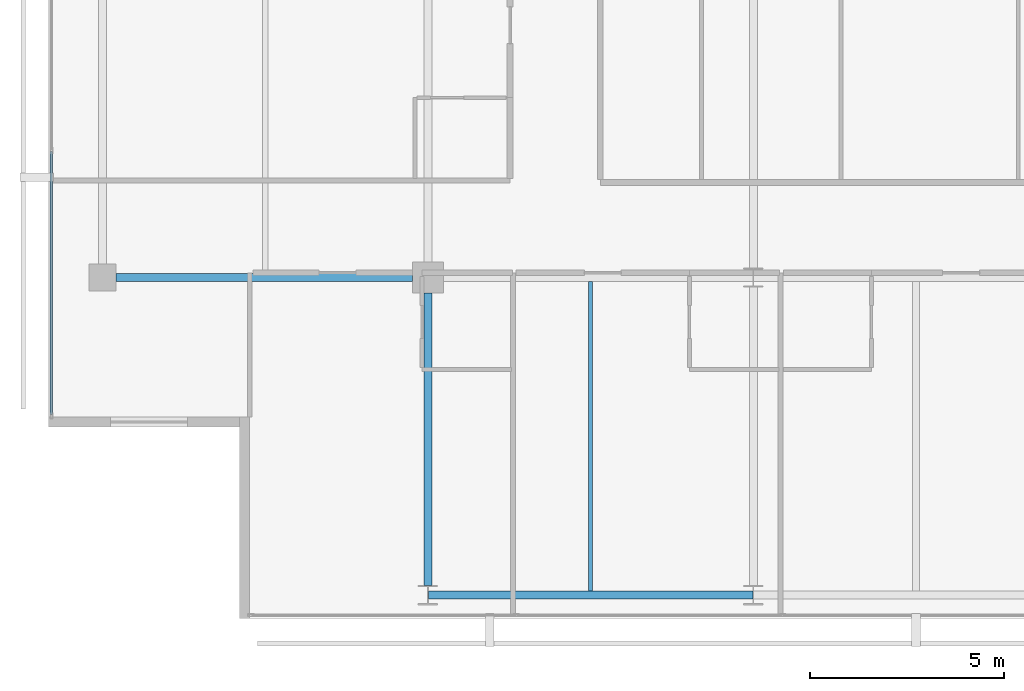
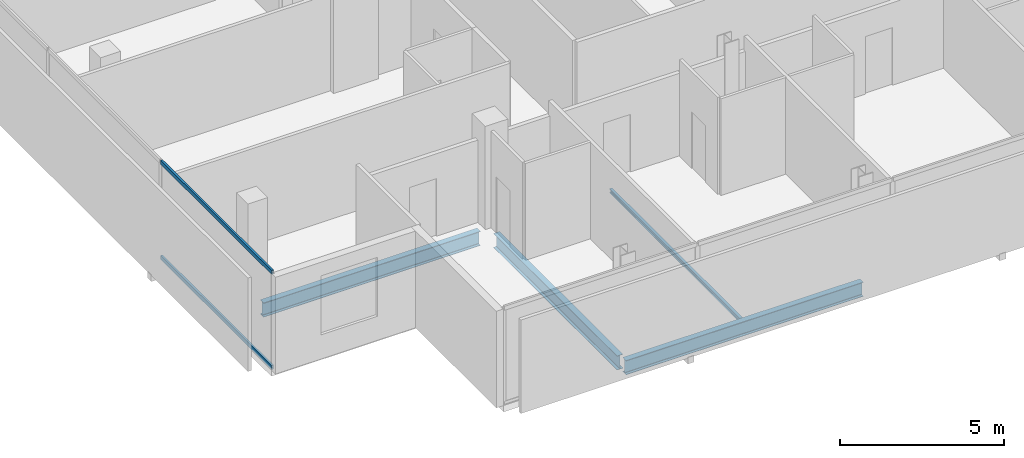
# One storey, part 3 of 26: 4 beams, 2 members, 1 element without a shape of its own.
"""IFC4 building model written with IfcOpenShell, lengths in metres."""

from ifc_helpers import new_model, si_unit, direction, frame, origin, origin_2d, place, context, subcontext, project, spatial, hollow_rectangle, i_section, extrude, material, layer, layer_set, material_profile, profile_set, type_object, element, aggregate, save


model = new_model("IFC4")

# Units and contexts
model_context = context("Model", 3, precision=1e-05, world=origin(), true_north=direction((0.0, 1.0)))
body_context = subcontext(model_context, "Body", "Model", "MODEL_VIEW")
ifc_project = project(units=[si_unit("LENGTHUNIT", "METRE"), si_unit("AREAUNIT", "SQUARE_METRE"), si_unit("VOLUMEUNIT", "CUBIC_METRE"), si_unit("PLANEANGLEUNIT", "RADIAN"), si_unit("MASSUNIT", "GRAM", prefix="KILO")], contexts=[model_context])

# Site, building, storey
site_placement = place(None, origin())
site = spatial("IfcSite", under=ifc_project, at=site_placement, CompositionType="ELEMENT")
building_placement = place(site_placement, origin())
building = spatial("IfcBuilding", under=site, at=building_placement, Name="Maruvema Waterfront Hotel and Observation Tower", CompositionType="ELEMENT")
storey_placement = place(building_placement, frame((0.0, 0.0, 266.35009765625)))
storey = spatial("IfcBuildingStorey", under=building, at=storey_placement, Name="L65", CompositionType="ELEMENT", Elevation=266.35009765625)

# Curtain wall, members
ifc_material_1 = material(Name="Anodised bronze aluminium and solar-control low-E IGU", Category="aluminium")
ifc_layer = layer(ifc_material_1, 0.159912109375, Name="Zone 3 Champagne Inner Thermal Curtain Wall System CW-04")
ifc_layer_set = layer_set([ifc_layer], Name="Anodised bronze aluminium and solar-control low-E IGU")
curtain_wall_type = type_object("IfcCurtainWallType", Name="Zone 3 Champagne Inner Thermal Curtain Wall System CW-04", PredefinedType="USERDEFINED", material=ifc_layer_set)
curtain_wall_placement = place(storey_placement, origin())
curtain_wall = element("IfcCurtainWall", 1, at=curtain_wall_placement, inside=storey, type_object=curtain_wall_type, Name="L65 Curtain Wall CW-L65-W", ObjectType="UNITISED CURTAIN WALL", PredefinedType="USERDEFINED")
ifc_material_2 = material(Name="Anodised architectural bronze aluminium", Category="aluminium")
ifc_material_profile_1 = material_profile(ifc_material_2, hollow_rectangle(XDim=0.070068359375, YDim=0.14990234375, WallThickness=0.00390625, at=origin_2d()), Name="ALU-T70x150")
ifc_profile_set_1 = profile_set([ifc_material_profile_1], Name="Anodised architectural bronze aluminium")
member_type = type_object("IfcMemberType", Name="Curtain Wall Horizontal Transom ALU-T70x150", PredefinedType="USERDEFINED", material=ifc_profile_set_1)
member_1_placement = place(storey_placement, frame((15.47998046875, 21.25, 0.02978515625), z_axis=(0.0, -1.0, 0.0), x_axis=(1.0, 0.0, 0.0)))
member_1 = element("IfcMember", 2, at=member_1_placement, type_object=member_type, Name="CW-04 transom 5.1", ObjectType="TRANSOM", PredefinedType="USERDEFINED", context=body_context, shape_type="SweptSolid", body=[
    extrude(hollow_rectangle(XDim=0.070068359375, YDim=0.14990234375, WallThickness=0.00390625, at=origin_2d()), origin(), (0.0, 0.0, 1.0), 6.7900390625),
])
member_2_placement = place(storey_placement, frame((15.47998046875, 21.25, 3.579833984375), z_axis=(0.0, -1.0, 0.0), x_axis=(1.0, 0.0, 0.0)))
member_2 = element("IfcMember", 3, at=member_2_placement, type_object=member_type, Name="CW-04 transom 5.2", ObjectType="TRANSOM", PredefinedType="USERDEFINED", context=body_context, shape_type="SweptSolid", body=[
    extrude(hollow_rectangle(XDim=0.070068359375, YDim=0.14990234375, WallThickness=0.00390625, at=origin_2d()), origin(), (0.0, 0.0, 1.0), 6.7900390625),
])
aggregate(curtain_wall, [member_1, member_2])

# Beams
ifc_material_3 = material(Name="Steel ASTM A572 Grade 50", Category="steel")
ifc_material_profile_2 = material_profile(ifc_material_3, i_section(OverallWidth=0.208984375, OverallDepth=0.532958984375, WebThickness=0.01025390625, FlangeThickness=0.015625, FilletRadius=0.014892578125, at=origin_2d()), Name="W530x92.0")
ifc_profile_set_2 = profile_set([ifc_material_profile_2], Name="Steel ASTM A572 Grade 50")
beam_type_1 = type_object("IfcBeamType", Name="Primary Floor Girder W530x92.0", PredefinedType="BEAM", material=ifc_profile_set_2)
beam_1_placement = place(storey_placement, frame((25.2109375, 9.800048828125, -0.506591796875), z_axis=(1.0, 0.0, 0.0), x_axis=(0.0, 1.0, 0.0)))
element("IfcBeam", 4, at=beam_1_placement, inside=storey, type_object=beam_type_1, Name="L65 Floor Girder EW-01", PredefinedType="BEAM", context=body_context, shape_type="SweptSolid", body=[
    extrude(i_section(OverallWidth=0.208984375, OverallDepth=0.532958984375, WebThickness=0.01025390625, FlangeThickness=0.015625, FilletRadius=0.014892578125, at=origin_2d()), origin(), (0.0, 0.0, 1.0), 8.378173828125),
])
beam_2_placement = place(storey_placement, frame((17.14990234375, 18.0, -0.506591796875), z_axis=(1.0, 0.0, 0.0), x_axis=(0.0, 1.0, 0.0)))
element("IfcBeam", 5, at=beam_2_placement, inside=storey, type_object=beam_type_1, Name="L65 Floor Girder EW-04", PredefinedType="BEAM", context=body_context, shape_type="SweptSolid", body=[
    extrude(i_section(OverallWidth=0.208984375, OverallDepth=0.532958984375, WebThickness=0.01025390625, FlangeThickness=0.015625, FilletRadius=0.014892578125, at=origin_2d()), origin(), (0.0, 0.0, 1.0), 7.650146484375),
])
beam_3_placement = place(storey_placement, frame((25.199951171875, 10.050048828125, -0.506591796875), z_axis=(0.0, 1.0, 0.0), x_axis=(-1.0, 0.0, 0.0)))
element("IfcBeam", 6, at=beam_3_placement, inside=storey, type_object=beam_type_1, Name="L65 Floor Girder NS-04", PredefinedType="BEAM", context=body_context, shape_type="SweptSolid", body=[
    extrude(i_section(OverallWidth=0.208984375, OverallDepth=0.532958984375, WebThickness=0.01025390625, FlangeThickness=0.015625, FilletRadius=0.014892578125, at=origin_2d()), origin(), (0.0, 0.0, 1.0), 7.550048828125),
])
ifc_material_4 = material(Name="Steel ASTM A572 Grade 50", Category="steel")
ifc_material_profile_3 = material_profile(ifc_material_4, i_section(OverallWidth=0.10009765625, OverallDepth=0.153076171875, WebThickness=0.005859375, FlangeThickness=0.007080078125, FilletRadius=0.008056640625, at=origin_2d()), Name="W150x18.0")
ifc_profile_set_3 = profile_set([ifc_material_profile_3], Name="Steel ASTM A572 Grade 50")
beam_type_2 = type_object("IfcBeamType", Name="Secondary Floor Joist W150x18.0", PredefinedType="JOIST", material=ifc_profile_set_3)
beam_4_placement = place(storey_placement, frame((29.39990234375, 9.904541015625, -0.316650390625), z_axis=(0.0, 1.0, 0.0), x_axis=(-1.0, 0.0, 0.0)))
element("IfcBeam", 7, at=beam_4_placement, inside=storey, type_object=beam_type_2, Name="L65 Secondary Floor Joist JS-04", PredefinedType="JOIST", context=body_context, shape_type="SweptSolid", body=[
    extrude(i_section(OverallWidth=0.10009765625, OverallDepth=0.153076171875, WebThickness=0.005859375, FlangeThickness=0.007080078125, FilletRadius=0.008056640625, at=origin_2d()), origin(), (0.0, 0.0, 1.0), 7.990966796875),
])

save(model, "model.ifc")
